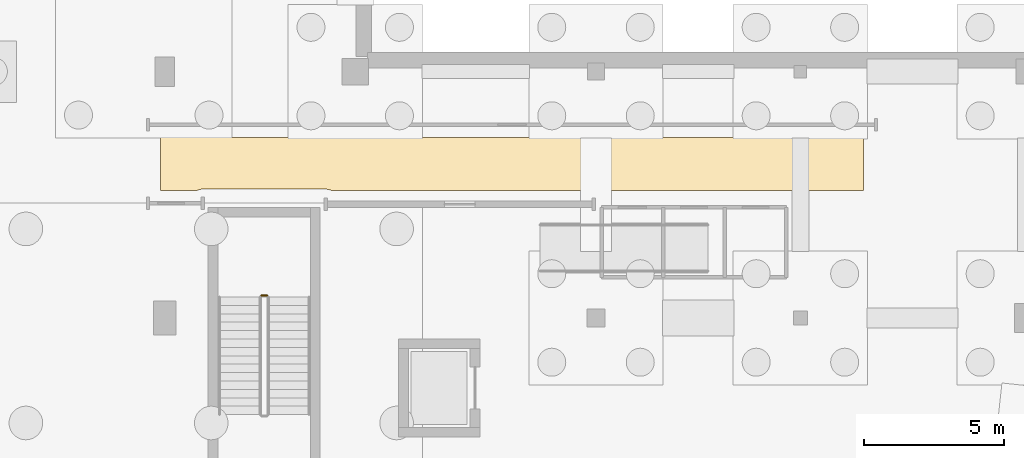
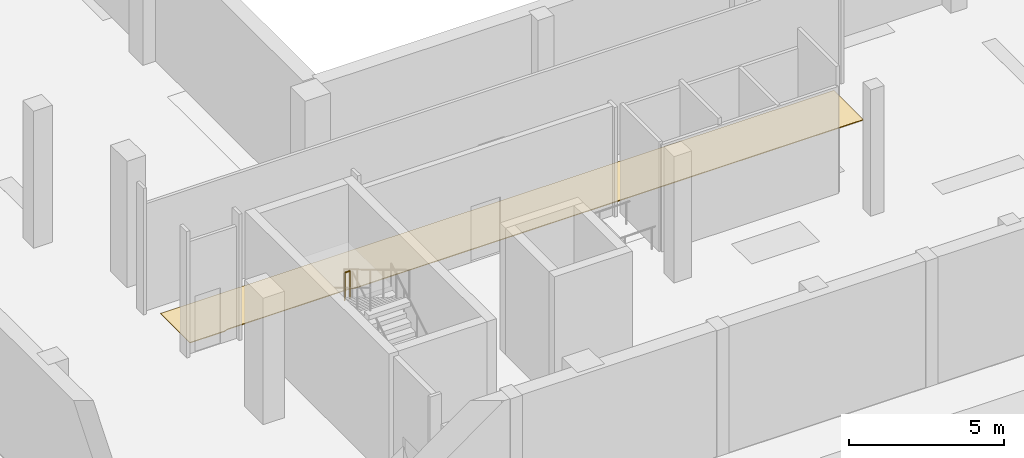
# One storey, part 31 of 33: 1 covering, 1 railing.
"""IFC4 building model written with IfcOpenShell, lengths in metres."""

import ifcopenshell
import ifcopenshell.guid

model = None  # the IFC model being written
_history = None  # IfcOwnerHistory: only IFC2X3 demands one
_inside = {}  # id of a spatial element -> (the spatial element, [elements in it])
_under = {}  # id of a project, library or spatial element -> (it, [spatial elements below it])
_declared = {}  # id of a project -> (the project, [libraries it declares])
_typed = {}  # id of a type object -> (the type object, [elements of that type])
_made_of = {}  # id of a material, layer set ... -> (it, [elements and type objects made of it])


def new_model(schema):
    """Start an empty IFC model of exactly this schema.

    Asked for "IFC4X3", IfcOpenShell would pick the latest addendum, in which some entities
    have other attributes; the version numbers below select the first issue.
    IFC2X3 requires an IfcOwnerHistory on every rooted entity: one is made here for all.
    """
    global model, _history
    if schema == "IFC4X3":
        model = ifcopenshell.file(schema_version=(4, 3, 0, 0))
    else:
        model = ifcopenshell.file(schema=schema)
    _inside.clear()
    _under.clear()
    _declared.clear()
    _typed.clear()
    _made_of.clear()
    _history = None
    if model.schema == "IFC2X3":
        org = make("IfcOrganization", Name="unknown")
        user = make(
            "IfcPersonAndOrganization",
            ThePerson=make("IfcPerson", FamilyName="unknown"),
            TheOrganization=org,
        )
        app = make(
            "IfcApplication",
            ApplicationDeveloper=org,
            Version="unknown",
            ApplicationFullName="unknown",
            ApplicationIdentifier="unknown",
        )
        _history = make(
            "IfcOwnerHistory",
            OwningUser=user,
            OwningApplication=app,
            ChangeAction="ADDED",
            CreationDate=0,
        )
    return model


def make(cls, **values):
    """One entity of the class cls with the attributes given. An attribute that is None is left unset."""
    return model.create_entity(
        cls, **{name: value for name, value in values.items() if value is not None}
    )


def rooted(cls, **values):
    """An entity with a GlobalId (a new one), such as an element, a storey or a relation."""
    return make(cls, GlobalId=ifcopenshell.guid.new(), OwnerHistory=_history, **values)


def si_unit(unit_type, name, prefix=None):
    """IfcSIUnit, for example si_unit("LENGTHUNIT", "METRE", prefix="MILLI")."""
    return make("IfcSIUnit", UnitType=unit_type, Prefix=prefix, Name=name)


def assignment(units):
    """IfcUnitAssignment: the units of a project."""
    return None if units is None else make("IfcUnitAssignment", Units=units)


def point(xyz):
    """IfcCartesianPoint."""
    return None if xyz is None else make("IfcCartesianPoint", Coordinates=xyz)


def direction(xyz):
    """IfcDirection."""
    return None if xyz is None else make("IfcDirection", DirectionRatios=xyz)


def frame(location, z_axis=None, x_axis=None):
    """IfcAxis2Placement3D, a coordinate frame: its origin and axes. An axis left out is left unset."""
    return make(
        "IfcAxis2Placement3D",
        Location=point(location),
        Axis=direction(z_axis),
        RefDirection=direction(x_axis),
    )


def frame_2d(location, x_axis=None):
    """IfcAxis2Placement2D, a coordinate frame in the plane: its origin and x axis."""
    return make(
        "IfcAxis2Placement2D", Location=point(location), RefDirection=direction(x_axis)
    )


def origin():
    """The frame at (0, 0, 0) with its axes left unset."""
    return frame((0.0, 0.0, 0.0))


def origin_2d():
    """The frame at (0, 0) in the plane with its x axis left unset."""
    return frame_2d((0.0, 0.0))


def place(relative_to, where):
    """IfcLocalPlacement: puts the frame where relative to a parent placement (None: the world)."""
    return make(
        "IfcLocalPlacement", PlacementRelTo=relative_to, RelativePlacement=where
    )


def context(
    kind, dimensions, precision=None, world=None, true_north=None, identifier=None
):
    """IfcGeometricRepresentationContext, for example the 3D "Model" context."""
    return make(
        "IfcGeometricRepresentationContext",
        ContextIdentifier=identifier,
        ContextType=kind,
        CoordinateSpaceDimension=dimensions,
        Precision=precision,
        WorldCoordinateSystem=world,
        TrueNorth=true_north,
    )


def subcontext(parent, identifier, kind, view, scale=None):
    """IfcGeometricRepresentationSubContext, for example "Body" below "Model"."""
    return make(
        "IfcGeometricRepresentationSubContext",
        ContextIdentifier=identifier,
        ContextType=kind,
        ParentContext=parent,
        TargetScale=scale,
        TargetView=view,
    )


def project(units=None, contexts=None):
    """IfcProject with its units and contexts."""
    return rooted(
        "IfcProject",
        Name="project",
        RepresentationContexts=contexts,
        UnitsInContext=assignment(units),
    )


def spatial(cls, under=None, at=None, **own):
    """A site, building, storey or space (cls), placed at a placement, below another one or the project."""
    s = rooted(cls, ObjectPlacement=at, **own)
    if under is not None:
        _under.setdefault(under.id(), (under, []))[1].append(s)
    return s


def polyline(points):
    """IfcPolyline through the points."""
    return make("IfcPolyline", Points=[point(p) for p in points])


def profile(cls, at=None, kind="AREA", **sizes):
    """A parametric profile (cls). Its sizes go by their IFC names, for example OverallWidth=200.0."""
    return make(cls, ProfileType=kind, Position=at, **sizes)


def circle(**sizes):
    """IfcCircleProfileDef."""
    return profile("IfcCircleProfileDef", **sizes)


def outline(outer, holes=None, kind="AREA"):
    """IfcArbitraryClosedProfileDef: a profile drawn as a closed curve; with holes, ...WithVoids."""
    if holes is None:
        return make("IfcArbitraryClosedProfileDef", ProfileType=kind, OuterCurve=outer)
    return make(
        "IfcArbitraryProfileDefWithVoids",
        ProfileType=kind,
        OuterCurve=outer,
        InnerCurves=holes,
    )


def extrude(swept, where, along, depth):
    """IfcExtrudedAreaSolid: the profile swept, set in the frame where, extruded along a direction by depth."""
    return make(
        "IfcExtrudedAreaSolid",
        SweptArea=swept,
        Position=where,
        ExtrudedDirection=direction(along),
        Depth=depth,
    )


def shape(context_of_items, identifier, shape_type, items):
    """IfcShapeRepresentation: the items that make up one representation, for example the "Body"."""
    return make(
        "IfcShapeRepresentation",
        ContextOfItems=context_of_items,
        RepresentationIdentifier=identifier,
        RepresentationType=shape_type,
        Items=items,
    )


def material(Name=None, Category=None):
    """IfcMaterial."""
    return make("IfcMaterial", Name=Name, Category=Category)


def layer(
    of_material, thickness, ventilated=None, Name=None, Category=None, Priority=None
):
    """IfcMaterialLayer: one layer of a wall or slab, of a material (None: an air gap)."""
    return make(
        "IfcMaterialLayer",
        Material=of_material,
        LayerThickness=thickness,
        IsVentilated=ventilated,
        Name=Name,
        Category=Category,
        Priority=Priority,
    )


def layer_set(layers, Name=None):
    """IfcMaterialLayerSet."""
    return make("IfcMaterialLayerSet", MaterialLayers=layers, LayerSetName=Name)


def made_of(thing, what):
    """Note that an element or type object is made of a material, layer set ...; save() writes the relation."""
    if what is not None:
        _made_of.setdefault(what.id(), (what, []))[1].append(thing)
    return thing


def type_object(cls, material=None, **own):
    """A type object (cls), such as IfcWallType, which elements share."""
    return made_of(rooted(cls, **own), material)


def element(
    cls,
    number,
    at=None,
    inside=None,
    cuts=None,
    type_object=None,
    material=None,
    context=None,
    identifier="Body",
    shape_type=None,
    held_by="IfcProductDefinitionShape",
    body=None,
    shapes=None,
    **own,
):
    """One element of the class cls, such as IfcWall. Its Tag is "e" and its number.

    at: its placement. inside: the storey or other place that contains it. cuts: it is an
    opening in that element (IfcRelVoidsElement). A single representation is given by context,
    identifier, shape_type and body (its items); several are given by shapes. held_by: the class
    of the entity that holds the representations. save() writes the other relations.
    """
    e = rooted(cls, Tag="e%d" % number, ObjectPlacement=at, **own)
    if body is not None:
        shapes = [shape(context, identifier, shape_type, body)]
    if shapes is not None:
        e.Representation = make(held_by, Representations=shapes)
    if inside is not None:
        _inside.setdefault(inside.id(), (inside, []))[1].append(e)
    if cuts is not None:
        rooted(
            "IfcRelVoidsElement", RelatingBuildingElement=cuts, RelatedOpeningElement=e
        )
    if type_object is not None:
        _typed.setdefault(type_object.id(), (type_object, []))[1].append(e)
    return made_of(e, material)


def aggregate(whole, parts):
    """IfcRelAggregates: a whole, such as a stair, and the parts it consists of."""
    return rooted("IfcRelAggregates", RelatingObject=whole, RelatedObjects=parts)


def save(model, path):
    """Write the relations noted so far, then the file.

    IfcRelAggregates (storeys below a building ...), IfcRelContainedInSpatialStructure (elements
    in a storey), IfcRelDefinesByType, IfcRelAssociatesMaterial and IfcRelDeclares: one each for
    every whole, place, type object, material and project.
    """
    for whole, parts in _under.values():
        aggregate(whole, parts)
    for where, things in _inside.values():
        rooted(
            "IfcRelContainedInSpatialStructure",
            RelatedElements=things,
            RelatingStructure=where,
        )
    for kind, things in _typed.values():
        rooted("IfcRelDefinesByType", RelatedObjects=things, RelatingType=kind)
    for what, things in _made_of.values():
        rooted("IfcRelAssociatesMaterial", RelatedObjects=things, RelatingMaterial=what)
    for by, libraries in _declared.values():
        rooted("IfcRelDeclares", RelatingContext=by, RelatedDefinitions=libraries)
    model.write(path)


model = new_model("IFC4")

# Units and contexts
model_context = context("Model", 3, precision=1e-05, world=origin(), true_north=direction((0.0, 1.0)))
body_context = subcontext(model_context, "Body", "Model", "MODEL_VIEW")
ifc_project = project(units=[si_unit("LENGTHUNIT", "METRE"), si_unit("AREAUNIT", "SQUARE_METRE"), si_unit("VOLUMEUNIT", "CUBIC_METRE"), si_unit("PLANEANGLEUNIT", "RADIAN"), si_unit("MASSUNIT", "GRAM", prefix="KILO")], contexts=[model_context])

# Site, building, storey
site_placement = place(None, origin())
site = spatial("IfcSite", under=ifc_project, at=site_placement, CompositionType="ELEMENT")
building_placement = place(site_placement, origin())
building = spatial("IfcBuilding", under=site, at=building_placement, Name="Soyqirgoq Riverine Aquarium", CompositionType="ELEMENT")
storey_placement = place(building_placement, frame((0.0, 0.0, -5.39990234375)))
storey = spatial("IfcBuildingStorey", under=building, at=storey_placement, Name="B01", CompositionType="ELEMENT", Elevation=-5.39990234375)

# Railing
ifc_material_1 = material(Name="Painted steel infill stair-well guardrail", Category="steel")
railing_type = type_object("IfcRailingType", Name="StairWellGuard_1120", PredefinedType="GUARDRAIL", material=ifc_material_1)
railing_placement = place(storey_placement, frame((126.25, 66.300048828125, 2.699951171875)))
element("IfcRailing", 1, at=railing_placement, inside=storey, type_object=railing_type, Name="B01 ST-8 stair guard 2", PredefinedType="GUARDRAIL", context=body_context, shape_type="SweptSolid", body=[
    extrude(circle(Radius=0.02392578125, at=origin_2d()), frame((0.0, 0.0, 1.09619140625), z_axis=(-1.0, 0.0, 0.0), x_axis=(0.0, -1.0, 0.0)), (0.0, 0.0, 1.0), 0.199951171875),
    extrude(circle(Radius=0.02099609375, at=origin_2d()), origin(), (0.0, 0.0, 1.0), 1.072021484375),
    extrude(circle(Radius=0.02099609375, at=origin_2d()), frame((-0.199951171875, 0.0, 0.0)), (0.0, 0.0, 1.0), 1.072021484375),
])

# Covering
ifc_material_2 = material(Name="Polished Chirchiq river-pebble terrazzo flooring", Category="concrete")
ifc_layer = layer(ifc_material_2, 0.030029296875)
ifc_layer_set = layer_set([ifc_layer], Name="Polished Chirchiq river-pebble terrazzo flooring")
covering_type = type_object("IfcCoveringType", Name="TerrazzoFloorFinish_30", PredefinedType="FLOORING", material=ifc_layer_set)
covering_placement = place(storey_placement, origin())
element("IfcCovering", 2, at=covering_placement, inside=storey, type_object=covering_type, Name="Life Support Basement Corridor Floor Finish", PredefinedType="FLOORING", context=body_context, shape_type="SweptSolid", body=[
    extrude(outline(polyline([(122.449951171875, 70.050048828125), (122.449951171875, 71.949951171875), (147.550048828125, 71.949951171875), (147.550048828125, 70.050048828125), (128.554931640625, 70.050048828125), (128.52197265625, 70.06591796875), (128.48095703125, 70.0810546875), (128.43798828125, 70.091064453125), (128.39404296875, 70.097900390625), (128.35009765625, 70.10009765625), (123.949951171875, 70.10009765625), (123.906005859375, 70.097900390625), (123.862060546875, 70.091064453125), (123.819091796875, 70.0810546875), (123.778076171875, 70.06591796875), (123.7451171875, 70.050048828125), (122.449951171875, 70.050048828125)])), origin(), (0.0, 0.0, 1.0), 0.02978515625),
])

save(model, "model.ifc")
